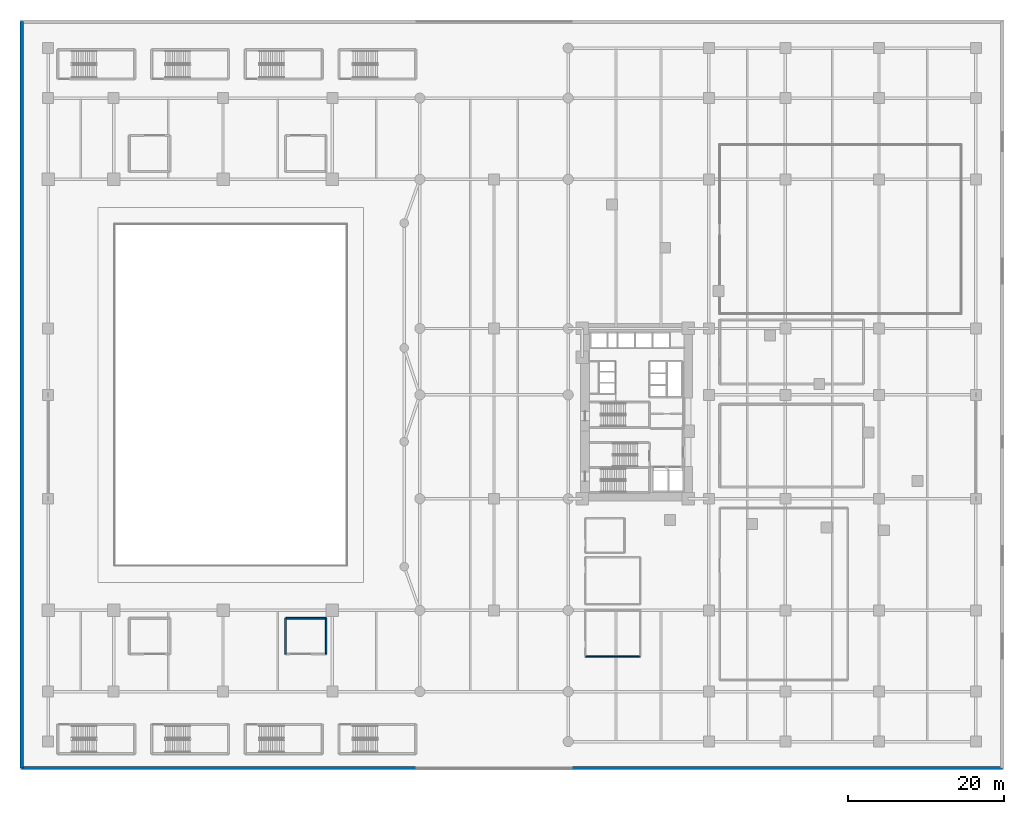
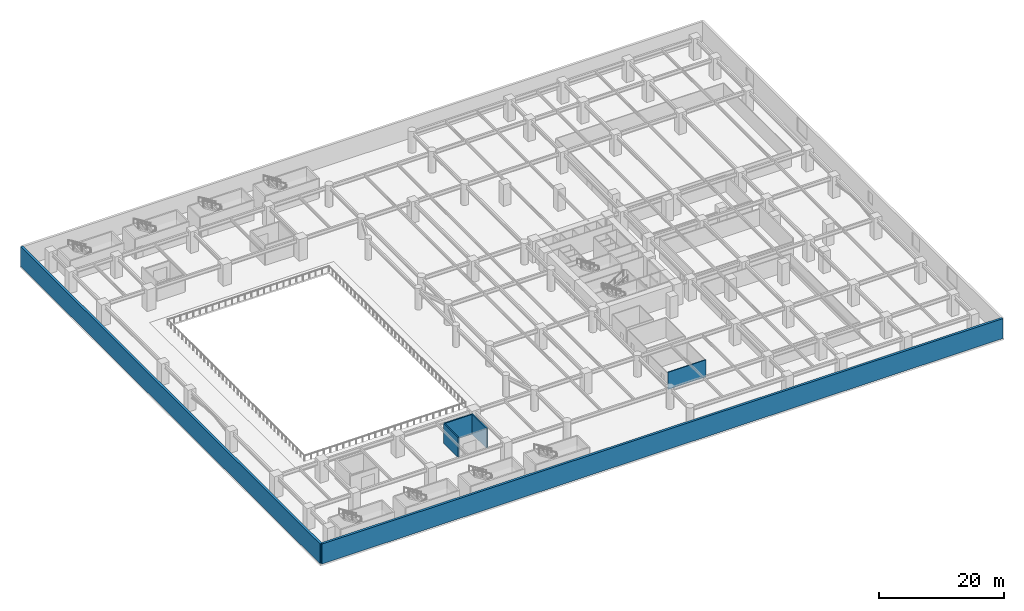
# One storey, part 6 of 22: 6 walls.
"""IFC4 building model written with IfcOpenShell, lengths in metres."""

from ifc_helpers import new_model, si_unit, direction, frame, frame_2d, origin, place, context, subcontext, project, spatial, rectangle, extrude, material, layer, layer_set, type_object, element, save


model = new_model("IFC4")

# Units and contexts
model_context = context("Model", 3, precision=1e-05, world=origin(), true_north=direction((0.0, 1.0)))
body_context = subcontext(model_context, "Body", "Model", "MODEL_VIEW")
ifc_project = project(units=[si_unit("LENGTHUNIT", "METRE"), si_unit("AREAUNIT", "SQUARE_METRE"), si_unit("VOLUMEUNIT", "CUBIC_METRE"), si_unit("PLANEANGLEUNIT", "RADIAN"), si_unit("MASSUNIT", "GRAM", prefix="KILO")], contexts=[model_context])

# Site, building, storey
site_placement = place(None, origin())
site = spatial("IfcSite", under=ifc_project, at=site_placement, CompositionType="ELEMENT")
building_placement = place(site_placement, origin())
building = spatial("IfcBuilding", under=site, at=building_placement, Name="Narakoshi Arena Tower", CompositionType="ELEMENT")
storey_placement = place(building_placement, frame((0.0, 0.0, 13.199951171875)))
storey = spatial("IfcBuildingStorey", under=building, at=storey_placement, Name="L03", CompositionType="ELEMENT", Elevation=13.199951171875)

# Walls
ifc_material_1 = material(Name="Concrete C40/50", Category="concrete")
ifc_layer_1 = layer(ifc_material_1, 0.219970703125)
ifc_layer_set_1 = layer_set([ifc_layer_1], Name="Concrete C40/50")
wall_type_1 = type_object("IfcWallType", Name="WL-COMP-220", PredefinedType="SOLIDWALL", material=ifc_layer_set_1)
wall_1_placement = place(storey_placement, frame((39.199951171875, 14.800048828125, 0.0), z_axis=(0.0, 0.0, 1.0), x_axis=(0.0, 1.0, 0.0)))
element("IfcWall", 1, at=wall_1_placement, inside=storey, type_object=wall_type_1, Name="L03 Vomitory 2 Wall E", PredefinedType="SOLIDWALL", context=body_context, shape_type="SweptSolid", body=[
    extrude(rectangle(XDim=4.599853515625, YDim=0.219970703125, at=frame_2d((2.2998046875, 0.0))), origin(), (0.0, 0.0, 1.0), 3.880126953125),
])
wall_2_placement = place(storey_placement, frame((39.199951171875, 19.39990234375, 0.0), z_axis=(0.0, 0.0, 1.0), x_axis=(-1.0, 0.0, 0.0)))
element("IfcWall", 2, at=wall_2_placement, inside=storey, type_object=wall_type_1, Name="L03 Vomitory 2 Wall N", PredefinedType="SOLIDWALL", context=body_context, shape_type="SweptSolid", body=[
    extrude(rectangle(XDim=5.199951171875, YDim=0.219970703125, at=frame_2d((2.60009765625, 0.0))), origin(), (0.0, 0.0, 1.0), 3.880126953125),
])
wall_3_placement = place(storey_placement, frame((34.0, 19.39990234375, 0.0), z_axis=(0.0, 0.0, 1.0), x_axis=(0.0, -1.0, 0.0)))
element("IfcWall", 3, at=wall_3_placement, inside=storey, type_object=wall_type_1, Name="L03 Vomitory 2 Wall W", PredefinedType="SOLIDWALL", context=body_context, shape_type="SweptSolid", body=[
    extrude(rectangle(XDim=4.599853515625, YDim=0.219970703125, at=frame_2d((2.2998046875, 0.0))), origin(), (0.0, 0.0, 1.0), 3.880126953125),
])
ifc_material_2 = material(Name="Precast concrete C45/55", Category="concrete")
ifc_layer_2 = layer(ifc_material_2, 0.419921875)
ifc_layer_set_2 = layer_set([ifc_layer_2], Name="Precast concrete C45/55")
wall_type_2 = type_object("IfcWallType", Name="WL-POD-420", PredefinedType="SOLIDWALL", material=ifc_layer_set_2)
wall_4_placement = place(storey_placement, frame((0.2099609375, 0.2099609375, 0.0), z_axis=(0.0, 0.0, 1.0), x_axis=(1.0, 0.0, 0.0)))
element("IfcWall", 4, at=wall_4_placement, inside=storey, type_object=wall_type_2, Name="L03 Podium Precast Facade Wall S", PredefinedType="SOLIDWALL", context=body_context, shape_type="SweptSolid", body=[
    extrude(rectangle(XDim=125.580078125, YDim=0.419921875, at=frame_2d((62.7900390625, 0.0))), origin(), (0.0, 0.0, 1.0), 3.880126953125),
])
wall_5_placement = place(storey_placement, frame((0.2099609375, 95.7900390625, 0.0), z_axis=(0.0, 0.0, 1.0), x_axis=(0.0, -1.0, 0.0)))
element("IfcWall", 5, at=wall_5_placement, inside=storey, type_object=wall_type_2, Name="L03 Podium Precast Facade Wall W", PredefinedType="SOLIDWALL", context=body_context, shape_type="SweptSolid", body=[
    extrude(rectangle(XDim=95.580078125, YDim=0.419921875, at=frame_2d((47.7900390625, 0.0))), origin(), (0.0, 0.0, 1.0), 3.880126953125),
])
ifc_material_3 = material(Name="Moisture-resistant cement-board partition")
ifc_layer_3 = layer(ifc_material_3, 0.14501953125)
ifc_layer_set_3 = layer_set([ifc_layer_3], Name="Moisture-resistant cement-board partition")
wall_type_3 = type_object("IfcWallType", Name="WL-WET-145", PredefinedType="PARTITIONING", material=ifc_layer_set_3)
wall_6_placement = place(storey_placement, frame((72.39990234375, 14.5, 0.0), z_axis=(0.0, 0.0, 1.0), x_axis=(1.0, 0.0, 0.0)))
element("IfcWall", 6, at=wall_6_placement, inside=storey, type_object=wall_type_3, Name="L03 Spectator Male Restroom WC Wall S", PredefinedType="PARTITIONING", context=body_context, shape_type="SweptSolid", body=[
    extrude(rectangle(XDim=7.0, YDim=0.14501953125, at=frame_2d((3.5, 0.0))), origin(), (0.0, 0.0, 1.0), 3.364990234375),
])

save(model, "model.ifc")
